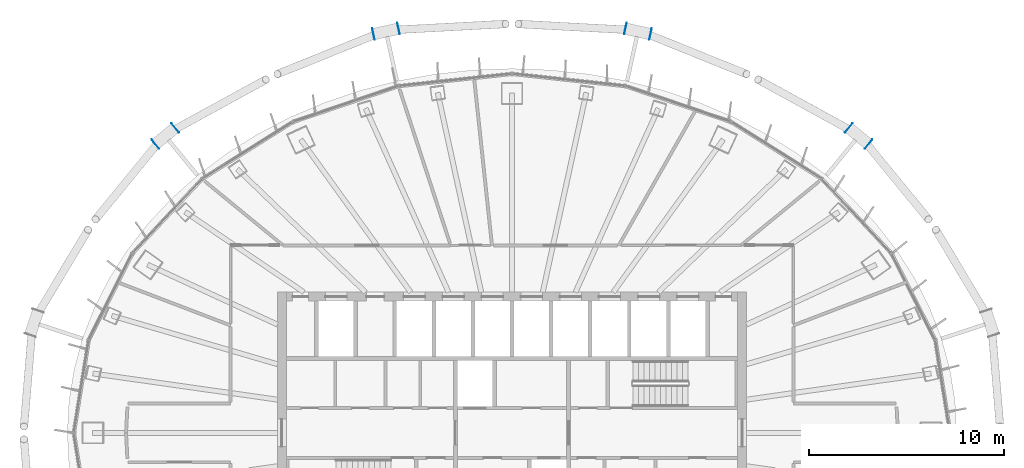
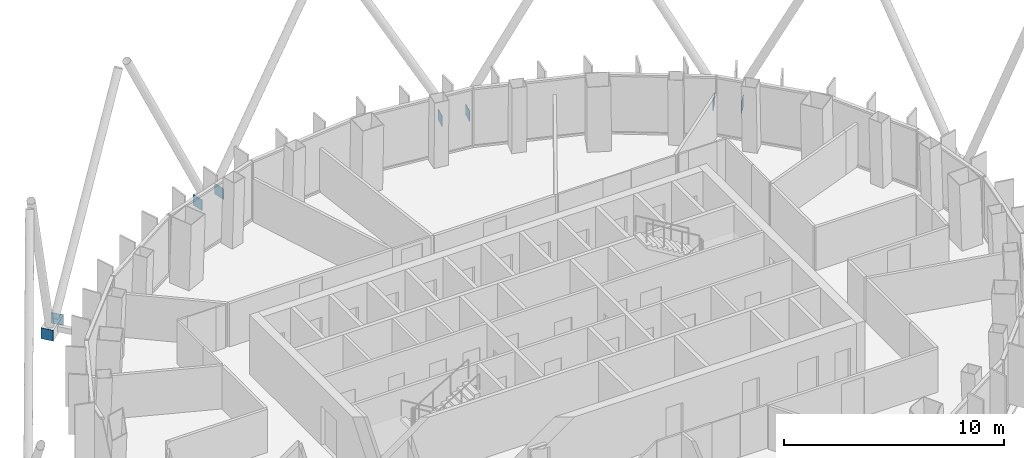
# One storey, part 14 of 18: 8 discrete accessories.
"""IFC4 building model written with IfcOpenShell, lengths in metres."""

from ifc_helpers import new_model, si_unit, direction, frame, origin, origin_2d, place, context, subcontext, project, spatial, rectangle, extrude, material, layer, layer_set, type_object, element, save


model = new_model("IFC4")

# Units and contexts
model_context = context("Model", 3, precision=1e-05, world=origin(), true_north=direction((0.0, 1.0)))
body_context = subcontext(model_context, "Body", "Model", "MODEL_VIEW")
ifc_project = project(units=[si_unit("LENGTHUNIT", "METRE"), si_unit("AREAUNIT", "SQUARE_METRE"), si_unit("VOLUMEUNIT", "CUBIC_METRE"), si_unit("PLANEANGLEUNIT", "RADIAN"), si_unit("MASSUNIT", "GRAM", prefix="KILO")], contexts=[model_context])

# Site, building, storey
site_placement = place(None, origin())
site = spatial("IfcSite", under=ifc_project, at=site_placement, CompositionType="ELEMENT")
building_placement = place(site_placement, origin())
building = spatial("IfcBuilding", under=site, at=building_placement, Name="Siaravel Broadcast Tower", CompositionType="ELEMENT")
storey_placement = place(building_placement, frame((0.0, 0.0, 201.5)))
storey = spatial("IfcBuildingStorey", under=building, at=storey_placement, Name="L49", CompositionType="ELEMENT", Elevation=201.5)

# Discrete accessories
ifc_material = material(Name="Steel S355", Category="steel")
ifc_layer = layer(ifc_material, 0.02001953125)
ifc_layer_set = layer_set([ifc_layer], Name="Steel S355")
discrete_accessory_type = type_object("IfcDiscreteAccessoryType", Name="Steel end plate 20 mm", PredefinedType="USERDEFINED", material=ifc_layer_set)
for number, where, z_axis, x_axis, name in (
    (1, (17.2333984375, 15.610107421875, -0.5), (0.0, 0.0, 1.0), (-0.773604694, 0.633668508, 0.0), "End plate R20 station 09A"),
    (2, (18.24951171875, 14.778076171875, -0.5), (0.0, 0.0, 1.0), (-0.773604694, 0.633668508, 0.0), "End plate R20 station 09B"),
    (3, (5.806640625, 20.688232421875, -0.5), (0.0, 0.0, 1.0), (-0.976750917, 0.214377344, 0.0), "End plate R20 station 15A"),
    (4, (7.089599609375, 20.40673828125, -0.5), (0.0, 0.0, 1.0), (-0.976750917, 0.214377344, 0.0), "End plate R20 station 15B"),
    (5, (-7.089599609375, 20.40673828125, -0.5), (0.0, 0.0, 1.0), (-0.976750917, -0.214377344, 0.0), "End plate R20 station 21A"),
    (6, (-5.806640625, 20.688232421875, -0.5), (0.0, 0.0, 1.0), (-0.976750917, -0.214377344, 0.0), "End plate R20 station 21B"),
    (7, (-18.24951171875, 14.778076171875, -0.5), (0.0, 0.0, 1.0), (-0.773604694, -0.633668508, 0.0), "End plate R20 station 27A"),
    (8, (-17.2333984375, 15.610107421875, -0.5), (0.0, 0.0, 1.0), (-0.773604694, -0.633668508, 0.0), "End plate R20 station 27B"),
):
    element("IfcDiscreteAccessory", number, at=place(storey_placement, frame(where, z_axis=z_axis, x_axis=x_axis)), inside=storey, type_object=discrete_accessory_type, Name=name, ObjectType="END PLATE", PredefinedType="USERDEFINED", context=body_context, shape_type="SweptSolid", body=[
        extrude(rectangle(XDim=0.02001953125, YDim=0.60009765625, at=origin_2d()), origin(), (0.0, 0.0, 1.0), 0.60009765625),
    ])

save(model, "model.ifc")
